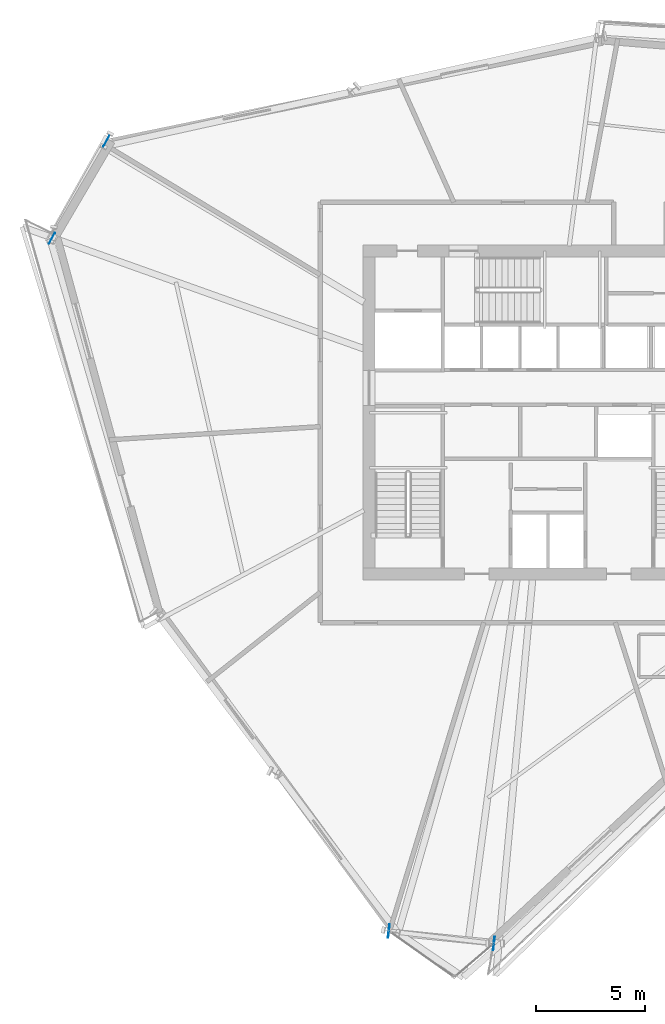
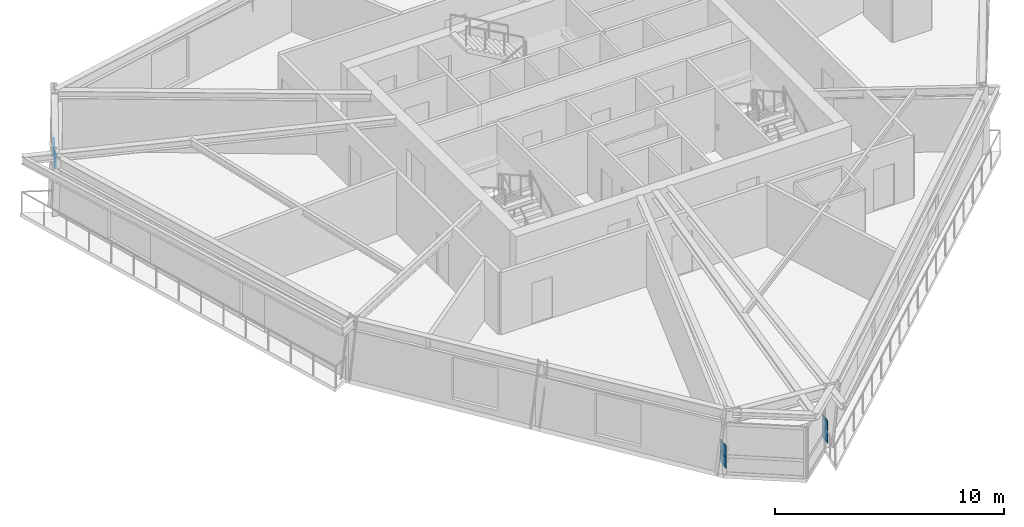
# One storey, part 7 of 15: 6 plates.
"""IFC4 building model written with IfcOpenShell, lengths in metres."""

from ifc_helpers import new_model, si_unit, direction, frame, origin, origin_2d, place, context, subcontext, project, spatial, rectangle, extrude, source, transform, mapped, material, type_object, element, save


model = new_model("IFC4")

# Units and contexts
model_context = context("Model", 3, precision=1e-05, world=origin(), true_north=direction((0.0, 1.0)))
body_context = subcontext(model_context, "Body", "Model", "MODEL_VIEW")
ifc_project = project(units=[si_unit("LENGTHUNIT", "METRE"), si_unit("AREAUNIT", "SQUARE_METRE"), si_unit("VOLUMEUNIT", "CUBIC_METRE"), si_unit("PLANEANGLEUNIT", "RADIAN"), si_unit("MASSUNIT", "GRAM", prefix="KILO")], contexts=[model_context])

# Site, building, storey
site_placement = place(None, origin())
site = spatial("IfcSite", under=ifc_project, at=site_placement, CompositionType="ELEMENT")
building_placement = place(site_placement, origin())
building = spatial("IfcBuilding", under=site, at=building_placement, Name="Olszyna Solenne Hotel", CompositionType="ELEMENT")
storey_placement = place(building_placement, frame((0.0, 0.0, 146.60009765625)))
storey = spatial("IfcBuildingStorey", under=building, at=storey_placement, Name="L38", CompositionType="ELEMENT", Elevation=146.60009765625)

# Plates
ifc_material_1 = material(Name="Steel S460M", Category="steel")
plate_type_1 = type_object("IfcPlateType", Name="GP-CAP2", PredefinedType="USERDEFINED", material=ifc_material_1)
shared_shape_1 = source(origin(), body_context, "Body", "SweptSolid", [
    extrude(rectangle(XDim=0.030029296875, YDim=0.6201171875, at=origin_2d()), origin(), (0.0, 0.0, 1.0), 0.6201171875),
])
for number, where, z_axis, x_axis, name in (
    (1, (30.731201171875, 2.905517578125, 1.039794921875), (0.0, 0.0, 1.0), (0.993170649538, -0.116670737099, 0.0), "Hollow section end-cap plate GP-CAP2 CP-PR-M-L38-PR1-1"),
    (2, (35.530517578125, 2.341552734375, 1.039794921875), (0.0, 0.0, 1.0), (0.993170649538, -0.116670737099, 0.0), "Hollow section end-cap plate GP-CAP2 CP-PR-M-L38-PR1-2"),
    (3, (30.731201171875, 2.905517578125, 0.4697265625), (0.0, 0.0, 1.0), (0.993170649538, -0.116670737099, 0.0), "Hollow section end-cap plate GP-CAP2 CP-PR-M-L38-PR2-1"),
    (4, (35.530517578125, 2.341552734375, 0.4697265625), (0.0, 0.0, 1.0), (0.993170649538, -0.116670737099, 0.0), "Hollow section end-cap plate GP-CAP2 CP-PR-M-L38-PR2-2"),
):
    element("IfcPlate", number, at=place(storey_placement, frame(where, z_axis=z_axis, x_axis=x_axis)), inside=storey, type_object=plate_type_1, Name=name, ObjectType="GUSSET_PLATE", PredefinedType="USERDEFINED", context=body_context, shape_type="MappedRepresentation", body=[
        mapped(shared_shape_1, transform((0.0, 0.0, 0.0), x_axis=(1.0, 0.0, 0.0), y_axis=(0.0, 1.0, 0.0), z_axis=(0.0, 0.0, 1.0), scale=1.0)),
    ])
ifc_material_2 = material(Name="Steel S355J2", Category="steel")
plate_type_2 = type_object("IfcPlateType", Name="GP-ND2", PredefinedType="USERDEFINED", material=ifc_material_2)
shared_shape_2 = source(origin(), body_context, "Body", "SweptSolid", [
    extrude(rectangle(XDim=0.56005859375, YDim=0.02001953125, at=origin_2d()), origin(), (0.0, 0.0, 1.0), 0.47998046875),
])
for number, where, z_axis, x_axis, name in (
    (5, (17.827880859375, 38.98291015625, -0.162109375), (0.0, 0.0, 1.0), (-0.489230239495, -0.8721546725, 0.0), "Brace end connection gusset plate GP-ND2 EP-BR-L38-2-1"),
    (6, (15.342529296875, 34.551025390625, 2.661865234375), (0.0, 0.0, 1.0), (-0.489230239495, -0.8721546725, 0.0), "Brace end connection gusset plate GP-ND2 EP-BR-L38-2-2"),
):
    element("IfcPlate", number, at=place(storey_placement, frame(where, z_axis=z_axis, x_axis=x_axis)), inside=storey, type_object=plate_type_2, Name=name, ObjectType="GUSSET_PLATE", PredefinedType="USERDEFINED", context=body_context, shape_type="MappedRepresentation", body=[
        mapped(shared_shape_2, transform((0.0, 0.0, 0.0), x_axis=(1.0, 0.0, 0.0), y_axis=(0.0, 1.0, 0.0), z_axis=(0.0, 0.0, 1.0), scale=1.0)),
    ])

save(model, "model.ifc")
